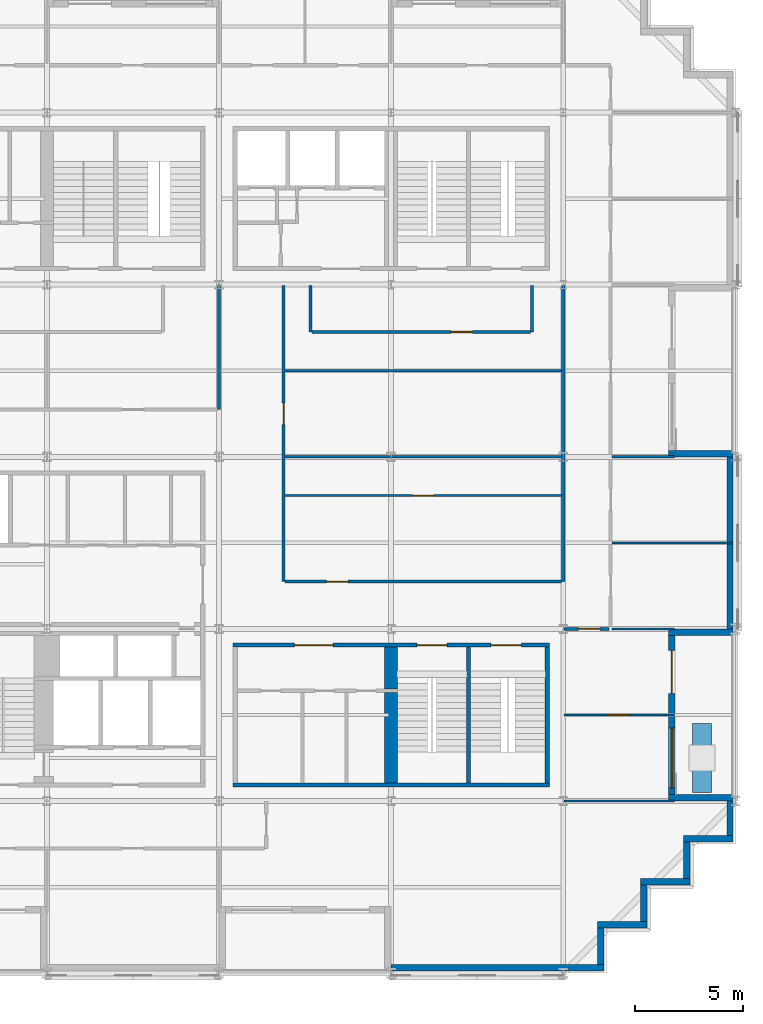
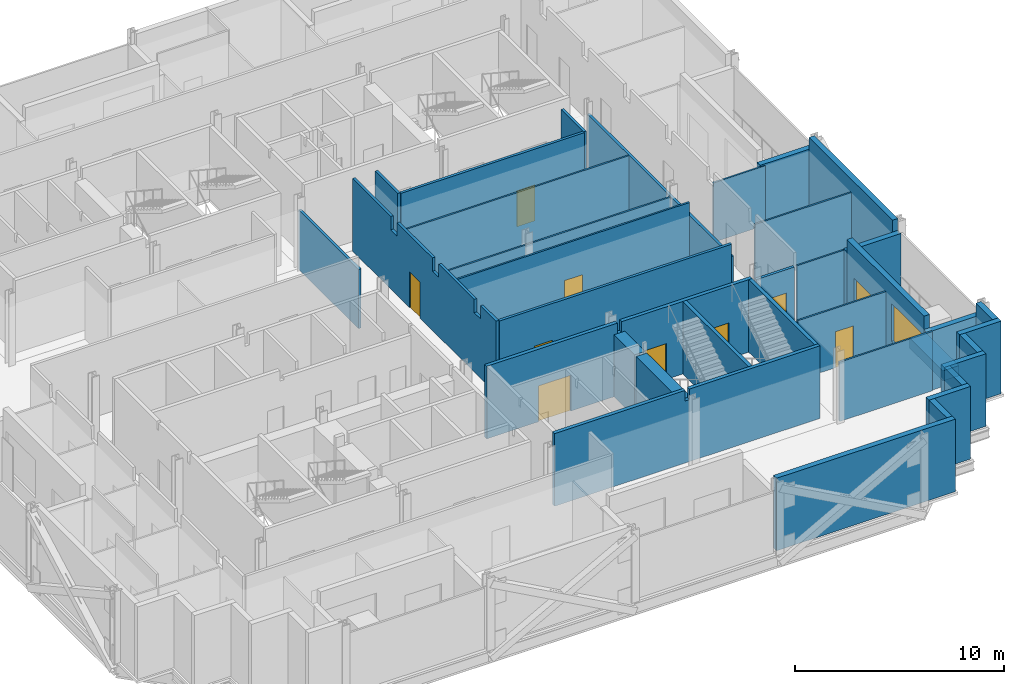
# One storey, part 8 of 15: 36 walls, 10 doors, 1 window, 11 openings.
"""IFC4 building model written with IfcOpenShell, lengths in metres."""

from ifc_helpers import new_model, si_unit, direction, frame, frame_2d, origin, place, context, subcontext, project, spatial, polyline, rectangle, outline, extrude, material, layer, layer_set, type_object, element, fill, save


model = new_model("IFC4")

# Units and contexts
model_context = context("Model", 3, precision=1e-05, world=origin(), true_north=direction((0.0, 1.0)))
body_context = subcontext(model_context, "Body", "Model", "MODEL_VIEW")
ifc_project = project(units=[si_unit("LENGTHUNIT", "METRE"), si_unit("AREAUNIT", "SQUARE_METRE"), si_unit("VOLUMEUNIT", "CUBIC_METRE"), si_unit("PLANEANGLEUNIT", "RADIAN"), si_unit("MASSUNIT", "GRAM", prefix="KILO")], contexts=[model_context])

# Site, building, storey
site_placement = place(None, origin())
site = spatial("IfcSite", under=ifc_project, at=site_placement, CompositionType="ELEMENT")
building_placement = place(site_placement, origin())
building = spatial("IfcBuilding", under=site, at=building_placement, Name="Immortelle Media Tower", CompositionType="ELEMENT")
storey_placement = place(building_placement, frame((0.0, 0.0, 100.800048828125)))
storey = spatial("IfcBuildingStorey", under=building, at=storey_placement, Name="L19", CompositionType="ELEMENT", Elevation=100.800048828125)

# Wall, opening, door
ifc_material_1 = material(Name="Fire-rated gypsum board", Category="gypsum")
ifc_layer_1 = layer(ifc_material_1, 0.012451171875)
ifc_material_2 = material(Name="Steel ASTM A653 SS Gr 50 stud frame with mineral wool", Category="steel")
ifc_layer_2 = layer(ifc_material_2, 0.125)
ifc_layer_3 = layer(ifc_material_1, 0.012451171875)
ifc_layer_set_1 = layer_set([ifc_layer_1, ifc_layer_2, ifc_layer_3], Name="Steel ASTM A653 SS Gr 50 stud frame with mineral wool")
wall_type_1 = type_object("IfcWallType", Name="Corridor wall 150", PredefinedType="PARTITIONING", material=ifc_layer_set_1)
wall_1_placement = place(storey_placement, frame((40.030029296875, 16.0, 0.0), z_axis=(0.0, 0.0, 1.0), x_axis=(1.0, 0.0, 0.0)))
wall_1 = element("IfcWall", 1, at=wall_1_placement, inside=storey, type_object=wall_type_1, Name="Partition L19-019", PredefinedType="PARTITIONING", context=body_context, shape_type="SweptSolid", body=[
    extrude(rectangle(XDim=2.094970703125, YDim=0.14990234375, at=frame_2d((1.04736328125, 0.0))), origin(), (0.0, 0.0, 1.0), 3.469970703125),
])
opening_1_placement = place(wall_1_placement, frame((1.669921875, 0.0, 0.0), z_axis=(0.0, 0.0, 1.0), x_axis=(-1.0, 0.0, 0.0)))
opening_1 = element("IfcOpeningElement", 2, at=opening_1_placement, cuts=wall_1, Name="Opening N6-F010", PredefinedType="OPENING", context=body_context, shape_type="SweptSolid", body=[
    extrude(rectangle(XDim=1.0, YDim=2.10009765625, at=frame_2d((0.5, 1.050048828125))), frame((0.0, 0.0849609375, 0.0), z_axis=(0.0, -1.0, 0.0), x_axis=(1.0, 0.0, 0.0)), (0.0, 0.0, 1.0), 0.169921875),
])
ifc_material_3 = material(Name="Timber veneered door leaf, galvanised steel frame ASTM A653", Category="steel")
door_type_1 = type_object("IfcDoorType", Name="Room door 1000 x 2100", OperationType="NOTDEFINED", PredefinedType="DOOR", material=ifc_material_3)
door_1_placement = place(opening_1_placement, origin())
door_1 = element("IfcDoor", 3, at=door_1_placement, inside=storey, type_object=door_type_1, Name="Door N6-F010", OperationType="SINGLE_SWING_RIGHT", OverallHeight=2.10009765625, OverallWidth=1.0, PredefinedType="DOOR", context=body_context, shape_type="SweptSolid", body=[
    extrude(rectangle(XDim=1.0, YDim=2.10009765625, at=frame_2d((0.5, 1.050048828125))), frame((0.0, 0.02490234375, 0.0), z_axis=(0.0, -1.0, 0.0), x_axis=(1.0, 0.0, 0.0)), (0.0, 0.0, 1.0), 0.050048828125),
])
fill(opening_1, door_1)

wall_2_placement = place(storey_placement, frame((27.074951171875, 18.199951171875, 0.0), z_axis=(0.0, 0.0, 1.0), x_axis=(1.0, 0.0, 0.0)))
wall_2 = element("IfcWall", 4, at=wall_2_placement, inside=storey, type_object=wall_type_1, Name="Partition L19-022", PredefinedType="PARTITIONING", context=body_context, shape_type="SweptSolid", body=[
    extrude(rectangle(XDim=12.85009765625, YDim=0.14990234375, at=frame_2d((6.425048828125, 0.0))), origin(), (0.0, 0.0, 1.0), 4.25),
])
opening_2_placement = place(wall_2_placement, frame((1.925048828125, 0.0, 0.0)))
opening_2 = element("IfcOpeningElement", 5, at=opening_2_placement, cuts=wall_2, Name="Opening N6-F016", PredefinedType="OPENING", context=body_context, shape_type="SweptSolid", body=[
    extrude(rectangle(XDim=1.0, YDim=2.10009765625, at=frame_2d((0.5, 1.050048828125))), frame((0.0, 0.0849609375, 0.0), z_axis=(0.0, -1.0, 0.0), x_axis=(1.0, 0.0, 0.0)), (0.0, 0.0, 1.0), 0.169921875),
])
door_2_placement = place(opening_2_placement, origin())
door_2 = element("IfcDoor", 6, at=door_2_placement, inside=storey, type_object=door_type_1, Name="Door N6-F016", OperationType="SINGLE_SWING_LEFT", OverallHeight=2.10009765625, OverallWidth=1.0, PredefinedType="DOOR", context=body_context, shape_type="SweptSolid", body=[
    extrude(rectangle(XDim=1.0, YDim=2.10009765625, at=frame_2d((0.5, 1.050048828125))), frame((0.0, 0.02490234375, 0.0), z_axis=(0.0, -1.0, 0.0), x_axis=(1.0, 0.0, 0.0)), (0.0, 0.0, 1.0), 0.050048828125),
])
fill(opening_2, door_2)

wall_3_placement = place(storey_placement, frame((27.0, 18.199951171875, 0.0), z_axis=(0.0, 0.0, 1.0), x_axis=(0.0, 1.0, 0.0)))
wall_3 = element("IfcWall", 7, at=wall_3_placement, inside=storey, type_object=wall_type_1, Name="Partition L19-023", PredefinedType="PARTITIONING", context=body_context, shape_type="SweptSolid", body=[
    extrude(outline(polyline([(0.0, 0.0), (13.77001953125, 0.0), (13.77001953125, 4.25), (10.10009765625, 4.25), (10.097900390625, 3.469970703125), (9.501953125, 3.469970703125), (9.5, 4.25), (6.10009765625, 4.25), (6.097900390625, 3.469970703125), (5.501953125, 3.469970703125), (5.5, 4.25), (2.10009765625, 4.25), (2.097900390625, 3.469970703125), (1.501953125, 3.469970703125), (1.5, 4.25), (0.0, 4.25), (0.0, 0.0)])), frame((0.0, 0.074951171875, 0.0), z_axis=(0.0, -1.0, 0.0), x_axis=(1.0, 0.0, 0.0)), (0.0, 0.0, 1.0), 0.14990234375),
])
opening_3_placement = place(wall_3_placement, frame((8.300048828125, 0.0, 0.0), z_axis=(0.0, 0.0, 1.0), x_axis=(-1.0, 0.0, 0.0)))
opening_3 = element("IfcOpeningElement", 8, at=opening_3_placement, cuts=wall_3, Name="Opening N6-F018", PredefinedType="OPENING", context=body_context, shape_type="SweptSolid", body=[
    extrude(rectangle(XDim=1.0, YDim=2.10009765625, at=frame_2d((0.5, 1.050048828125))), frame((0.0, 0.0849609375, 0.0), z_axis=(0.0, -1.0, 0.0), x_axis=(1.0, 0.0, 0.0)), (0.0, 0.0, 1.0), 0.169921875),
])
door_3_placement = place(opening_3_placement, origin())
door_3 = element("IfcDoor", 9, at=door_3_placement, inside=storey, type_object=door_type_1, Name="Door N6-F018", OperationType="SINGLE_SWING_RIGHT", OverallHeight=2.10009765625, OverallWidth=1.0, PredefinedType="DOOR", context=body_context, shape_type="SweptSolid", body=[
    extrude(rectangle(XDim=1.0, YDim=2.10009765625, at=frame_2d((0.5, 1.050048828125))), frame((0.0, 0.02490234375, 0.0), z_axis=(0.0, -1.0, 0.0), x_axis=(1.0, 0.0, 0.0)), (0.0, 0.0, 1.0), 0.050048828125),
])
fill(opening_3, door_3)

# Walls
wall_4_placement = place(storey_placement, frame((40.0, 18.199951171875, 0.0), z_axis=(0.0, 0.0, 1.0), x_axis=(0.0, 1.0, 0.0)))
element("IfcWall", 10, at=wall_4_placement, inside=storey, type_object=wall_type_1, Name="Partition L19-024", PredefinedType="PARTITIONING", context=body_context, shape_type="SweptSolid", body=[
    extrude(rectangle(XDim=13.77001953125, YDim=0.14990234375, at=frame_2d((6.885009765625, 0.0))), origin(), (0.0, 0.0, 1.0), 3.469970703125),
])
wall_5_placement = place(storey_placement, frame((24.0, 26.199951171875, 0.0), z_axis=(0.0, 0.0, 1.0), x_axis=(0.0, 1.0, 0.0)))
element("IfcWall", 11, at=wall_5_placement, inside=storey, type_object=wall_type_1, Name="Partition L19-033", PredefinedType="PARTITIONING", context=body_context, shape_type="SweptSolid", body=[
    extrude(rectangle(XDim=5.77001953125, YDim=0.14990234375, at=frame_2d((2.885009765625, 0.0))), origin(), (0.0, 0.0, 1.0), 3.469970703125),
])

# Wall, opening, door
wall_6_placement = place(storey_placement, frame((28.324951171875, 29.800048828125, 0.0), z_axis=(0.0, 0.0, 1.0), x_axis=(1.0, 0.0, 0.0)))
wall_6 = element("IfcWall", 12, at=wall_6_placement, inside=storey, type_object=wall_type_1, Name="Partition L19-038", PredefinedType="PARTITIONING", context=body_context, shape_type="SweptSolid", body=[
    extrude(rectangle(XDim=10.150146484375, YDim=0.14990234375, at=frame_2d((5.0751953125, 0.0))), origin(), (0.0, 0.0, 1.0), 4.25),
])
opening_4_placement = place(wall_6_placement, frame((7.449951171875, 0.0, 0.0), z_axis=(0.0, 0.0, 1.0), x_axis=(-1.0, 0.0, 0.0)))
opening_4 = element("IfcOpeningElement", 13, at=opening_4_placement, cuts=wall_6, Name="Opening N6-F019", PredefinedType="OPENING", context=body_context, shape_type="SweptSolid", body=[
    extrude(rectangle(XDim=1.0, YDim=2.10009765625, at=frame_2d((0.5, 1.050048828125))), frame((0.0, 0.0849609375, 0.0), z_axis=(0.0, -1.0, 0.0), x_axis=(1.0, 0.0, 0.0)), (0.0, 0.0, 1.0), 0.169921875),
])
door_4_placement = place(opening_4_placement, origin())
door_4 = element("IfcDoor", 14, at=door_4_placement, inside=storey, type_object=door_type_1, Name="Door N6-F019", OperationType="SINGLE_SWING_LEFT", OverallHeight=2.10009765625, OverallWidth=1.0, PredefinedType="DOOR", context=body_context, shape_type="SweptSolid", body=[
    extrude(rectangle(XDim=1.0, YDim=2.10009765625, at=frame_2d((0.5, 1.050048828125))), frame((0.0, 0.02490234375, 0.0), z_axis=(0.0, -1.0, 0.0), x_axis=(1.0, 0.0, 0.0)), (0.0, 0.0, 1.0), 0.050048828125),
])
fill(opening_4, door_4)

# Walls
for number, where, z_axis, x_axis, name in (
    (15, (28.25, 29.800048828125, 0.0), (0.0, 0.0, 1.0), (0.0, 1.0, 0.0), "Partition L19-039"),
    (16, (38.550048828125, 29.800048828125, 0.0), (0.0, 0.0, 1.0), (0.0, 1.0, 0.0), "Partition L19-040"),
):
    element("IfcWall", number, at=place(storey_placement, frame(where, z_axis=z_axis, x_axis=x_axis)), inside=storey, type_object=wall_type_1, Name=name, PredefinedType="PARTITIONING", context=body_context, shape_type="SweptSolid", body=[
        extrude(rectangle(XDim=2.169921875, YDim=0.14990234375, at=frame_2d((1.0849609375, 0.0))), origin(), (0.0, 0.0, 1.0), 4.25),
    ])
ifc_material_4 = material(Name="Pale aluminium cladding panel", Category="aluminium")
ifc_layer_4 = layer(ifc_material_4, 0.030029296875)
ifc_layer_5 = layer(ifc_material_2, 0.257568359375)
ifc_material_5 = material(Name="Moisture-resistant gypsum board", Category="gypsum")
ifc_layer_6 = layer(ifc_material_5, 0.012451171875)
ifc_layer_set_2 = layer_set([ifc_layer_4, ifc_layer_5, ifc_layer_6], Name="Steel ASTM A653 SS Gr 50 stud frame with mineral wool")
wall_type_2 = type_object("IfcWallType", Name="Facade wall 300", PredefinedType="SOLIDWALL", material=ifc_layer_set_2)
wall_7_placement = place(storey_placement, frame((32.0, 0.25, 0.0), z_axis=(0.0, 0.0, 1.0), x_axis=(1.0, 0.0, 0.0)))
element("IfcWall", 17, at=wall_7_placement, inside=storey, type_object=wall_type_2, Name="Facade wall L19 S7", PredefinedType="SOLIDWALL", context=body_context, shape_type="SweptSolid", body=[
    extrude(rectangle(XDim=9.89990234375, YDim=0.300048828125, at=frame_2d((4.949951171875, 0.0))), origin(), (0.0, 0.0, 1.0), 4.25),
])
wall_8_placement = place(storey_placement, frame((41.75, 0.39990234375, 0.0), z_axis=(0.0, 0.0, 1.0), x_axis=(0.0, 1.0, 0.0)))
element("IfcWall", 18, at=wall_8_placement, inside=storey, type_object=wall_type_2, Name="Facade wall L19 E8", PredefinedType="SOLIDWALL", context=body_context, shape_type="SweptSolid", body=[
    extrude(rectangle(XDim=1.7001953125, YDim=0.300048828125, at=frame_2d((0.85009765625, 0.0))), origin(), (0.0, 0.0, 1.0), 4.25),
])
wall_9_placement = place(storey_placement, frame((41.60009765625, 2.25, 0.0), z_axis=(0.0, 0.0, 1.0), x_axis=(1.0, 0.0, 0.0)))
element("IfcWall", 19, at=wall_9_placement, inside=storey, type_object=wall_type_2, Name="Facade wall L19 S9", PredefinedType="SOLIDWALL", context=body_context, shape_type="SweptSolid", body=[
    extrude(rectangle(XDim=2.2998046875, YDim=0.300048828125, at=frame_2d((1.14990234375, 0.0))), origin(), (0.0, 0.0, 1.0), 4.25),
])
wall_10_placement = place(storey_placement, frame((43.75, 2.39990234375, 0.0), z_axis=(0.0, 0.0, 1.0), x_axis=(0.0, 1.0, 0.0)))
element("IfcWall", 20, at=wall_10_placement, inside=storey, type_object=wall_type_2, Name="Facade wall L19 E10", PredefinedType="SOLIDWALL", context=body_context, shape_type="SweptSolid", body=[
    extrude(rectangle(XDim=1.7001953125, YDim=0.300048828125, at=frame_2d((0.85009765625, 0.0))), origin(), (0.0, 0.0, 1.0), 4.25),
])
wall_11_placement = place(storey_placement, frame((43.60009765625, 4.25, 0.0), z_axis=(0.0, 0.0, 1.0), x_axis=(1.0, 0.0, 0.0)))
element("IfcWall", 21, at=wall_11_placement, inside=storey, type_object=wall_type_2, Name="Facade wall L19 S11", PredefinedType="SOLIDWALL", context=body_context, shape_type="SweptSolid", body=[
    extrude(rectangle(XDim=2.2998046875, YDim=0.300048828125, at=frame_2d((1.14990234375, 0.0))), origin(), (0.0, 0.0, 1.0), 4.25),
])
wall_12_placement = place(storey_placement, frame((45.75, 4.39990234375, 0.0), z_axis=(0.0, 0.0, 1.0), x_axis=(0.0, 1.0, 0.0)))
element("IfcWall", 22, at=wall_12_placement, inside=storey, type_object=wall_type_2, Name="Facade wall L19 E12", PredefinedType="SOLIDWALL", context=body_context, shape_type="SweptSolid", body=[
    extrude(rectangle(XDim=1.7001953125, YDim=0.300048828125, at=frame_2d((0.85009765625, 0.0))), origin(), (0.0, 0.0, 1.0), 4.25),
])
wall_13_placement = place(storey_placement, frame((45.60009765625, 6.25, 0.0), z_axis=(0.0, 0.0, 1.0), x_axis=(1.0, 0.0, 0.0)))
element("IfcWall", 23, at=wall_13_placement, inside=storey, type_object=wall_type_2, Name="Facade wall L19 S13", PredefinedType="SOLIDWALL", context=body_context, shape_type="SweptSolid", body=[
    extrude(rectangle(XDim=2.2998046875, YDim=0.300048828125, at=frame_2d((1.14990234375, 0.0))), origin(), (0.0, 0.0, 1.0), 4.25),
])
wall_14_placement = place(storey_placement, frame((47.75, 6.39990234375, 0.0), z_axis=(0.0, 0.0, 1.0), x_axis=(0.0, 1.0, 0.0)))
element("IfcWall", 24, at=wall_14_placement, inside=storey, type_object=wall_type_2, Name="Facade wall L19 E14", PredefinedType="SOLIDWALL", context=body_context, shape_type="SweptSolid", body=[
    extrude(rectangle(XDim=1.60009765625, YDim=0.300048828125, at=frame_2d((0.800048828125, 0.0))), origin(), (0.0, 0.0, 1.0), 4.25),
])

# Wall, openings, door, window
wall_15_placement = place(storey_placement, frame((45.050048828125, 8.300048828125, 0.0), z_axis=(0.0, 0.0, 1.0), x_axis=(0.0, 1.0, 0.0)))
wall_15 = element("IfcWall", 25, at=wall_15_placement, inside=storey, type_object=wall_type_2, Name="Loggia wall L19 E14", PredefinedType="SOLIDWALL", context=body_context, shape_type="SweptSolid", body=[
    extrude(rectangle(XDim=7.39990234375, YDim=0.300048828125, at=frame_2d((3.699951171875, 0.0))), origin(), (0.0, 0.0, 1.0), 4.25),
])
opening_5_placement = place(wall_15_placement, frame((0.300048828125, 0.0, 0.89990234375)))
opening_5 = element("IfcOpeningElement", 26, at=opening_5_placement, cuts=wall_15, Name="Opening W1", PredefinedType="OPENING", context=body_context, shape_type="SweptSolid", body=[
    extrude(rectangle(XDim=2.800048828125, YDim=2.199951171875, at=frame_2d((1.39990234375, 1.10009765625))), frame((0.0, 0.159912109375, 0.0), z_axis=(0.0, -1.0, 0.0), x_axis=(1.0, 0.0, 0.0)), (0.0, 0.0, 1.0), 0.320068359375),
])
opening_6_placement = place(wall_15_placement, frame((4.699951171875, 0.0, 0.0)))
opening_6 = element("IfcOpeningElement", 27, at=opening_6_placement, cuts=wall_15, Name="Opening N6-E005", PredefinedType="OPENING", context=body_context, shape_type="SweptSolid", body=[
    extrude(rectangle(XDim=2.0, YDim=2.39990234375, at=frame_2d((1.0, 1.199951171875))), frame((0.0, 0.159912109375, 0.0), z_axis=(0.0, -1.0, 0.0), x_axis=(1.0, 0.0, 0.0)), (0.0, 0.0, 1.0), 0.320068359375),
])
ifc_material_6 = material(Name="Aluminium frame, glazed leaves", Category="aluminium")
door_type_2 = type_object("IfcDoorType", Name="Loggia door 2000 x 2400", OperationType="DOUBLE_DOOR_SINGLE_SWING", PredefinedType="DOOR", material=ifc_material_6)
door_5_placement = place(opening_6_placement, origin())
door_5 = element("IfcDoor", 28, at=door_5_placement, inside=storey, type_object=door_type_2, Name="Door N6-E005", OperationType="DOUBLE_DOOR_SINGLE_SWING", OverallHeight=2.39990234375, OverallWidth=2.0, PredefinedType="DOOR", context=body_context, shape_type="SweptSolid", body=[
    extrude(rectangle(XDim=2.0, YDim=2.39990234375, at=frame_2d((1.0, 1.199951171875))), frame((0.0, 0.02490234375, 0.0), z_axis=(0.0, -1.0, 0.0), x_axis=(1.0, 0.0, 0.0)), (0.0, 0.0, 1.0), 0.050048828125),
])
fill(opening_6, door_5)
ifc_material_7 = material(Name="Aluminium frame", Category="aluminium")
window_type = type_object("IfcWindowType", Name="Window 2800 x 2200", PartitioningType="SINGLE_PANEL", PredefinedType="WINDOW", material=ifc_material_7)
window_placement = place(opening_5_placement, origin())
window = element("IfcWindow", 29, at=window_placement, inside=storey, type_object=window_type, Name="Window L19 L19-R14-B0", OverallHeight=2.199951171875, OverallWidth=2.800048828125, PartitioningType="SINGLE_PANEL", PredefinedType="WINDOW", context=body_context, shape_type="SweptSolid", body=[
    extrude(rectangle(XDim=2.800048828125, YDim=2.199951171875, at=frame_2d((1.39990234375, 1.10009765625))), frame((0.0, 0.030029296875, 0.0), z_axis=(0.0, -1.0, 0.0), x_axis=(1.0, 0.0, 0.0)), (0.0, 0.0, 1.0), 0.06005859375),
])
fill(opening_5, window)

# Walls
wall_16_placement = place(storey_placement, frame((47.89990234375, 8.14990234375, 0.0), z_axis=(0.0, 0.0, 1.0), x_axis=(-1.0, 0.0, 0.0)))
element("IfcWall", 30, at=wall_16_placement, inside=storey, type_object=wall_type_2, Name="Loggia cheek wall L19 E", PredefinedType="SOLIDWALL", context=body_context, shape_type="SweptSolid", body=[
    extrude(rectangle(XDim=3.0, YDim=0.300048828125, at=frame_2d((1.5, 0.0))), origin(), (0.0, 0.0, 1.0), 3.468994140625),
])
wall_17_placement = place(storey_placement, frame((47.89990234375, 15.85009765625, 0.0), z_axis=(0.0, 0.0, 1.0), x_axis=(-1.0, 0.0, 0.0)))
element("IfcWall", 31, at=wall_17_placement, inside=storey, type_object=wall_type_2, Name="Loggia cheek wall L19 E", PredefinedType="SOLIDWALL", context=body_context, shape_type="SweptSolid", body=[
    extrude(rectangle(XDim=3.0, YDim=0.300048828125, at=frame_2d((1.5, 0.0))), origin(), (0.0, 0.0, 1.0), 3.555908203125),
])
wall_18_placement = place(storey_placement, frame((47.75, 16.0, 0.0), z_axis=(0.0, 0.0, 1.0), x_axis=(0.0, 1.0, 0.0)))
element("IfcWall", 32, at=wall_18_placement, inside=storey, type_object=wall_type_2, Name="Facade wall L19 E14", PredefinedType="SOLIDWALL", context=body_context, shape_type="SweptSolid", body=[
    extrude(rectangle(XDim=8.0, YDim=0.300048828125, at=frame_2d((4.0, 0.0))), origin(), (0.0, 0.0, 1.0), 4.25),
])
wall_19_placement = place(storey_placement, frame((47.89990234375, 24.14990234375, 0.0), z_axis=(0.0, 0.0, 1.0), x_axis=(-1.0, 0.0, 0.0)))
element("IfcWall", 33, at=wall_19_placement, inside=storey, type_object=wall_type_2, Name="Loggia cheek wall L19 E", PredefinedType="SOLIDWALL", context=body_context, shape_type="SweptSolid", body=[
    extrude(rectangle(XDim=3.0, YDim=0.300048828125, at=frame_2d((1.5, 0.0))), origin(), (0.0, 0.0, 1.0), 3.555908203125),
])
ifc_material_8 = material(Name="Gypsum board", Category="gypsum")
ifc_layer_7 = layer(ifc_material_8, 0.012451171875)
ifc_layer_8 = layer(ifc_material_2, 0.074951171875)
ifc_layer_9 = layer(ifc_material_8, 0.012451171875)
ifc_layer_set_3 = layer_set([ifc_layer_7, ifc_layer_8, ifc_layer_9], Name="Steel ASTM A653 SS Gr 50 stud frame with mineral wool")
wall_type_3 = type_object("IfcWallType", Name="Partition 100", PredefinedType="PARTITIONING", material=ifc_layer_set_3)
wall_20_placement = place(storey_placement, frame((40.030029296875, 8.0, 0.0), z_axis=(0.0, 0.0, 1.0), x_axis=(1.0, 0.0, 0.0)))
element("IfcWall", 34, at=wall_20_placement, inside=storey, type_object=wall_type_3, Name="Partition L19-011", PredefinedType="PARTITIONING", context=body_context, shape_type="SweptSolid", body=[
    extrude(rectangle(XDim=5.139892578125, YDim=0.10009765625, at=frame_2d((2.56982421875, 0.0))), origin(), (0.0, 0.0, 1.0), 3.469970703125),
])

# Wall, opening, door
wall_21_placement = place(storey_placement, frame((40.030029296875, 12.0, 0.0), z_axis=(0.0, 0.0, 1.0), x_axis=(1.0, 0.0, 0.0)))
wall_21 = element("IfcWall", 35, at=wall_21_placement, inside=storey, type_object=wall_type_3, Name="Partition L19-016", PredefinedType="PARTITIONING", context=body_context, shape_type="SweptSolid", body=[
    extrude(rectangle(XDim=5.139892578125, YDim=0.10009765625, at=frame_2d((2.56982421875, 0.0))), origin(), (0.0, 0.0, 1.0), 3.469970703125),
])
opening_7_placement = place(wall_21_placement, frame((2.070068359375, 0.0, 0.0)))
opening_7 = element("IfcOpeningElement", 36, at=opening_7_placement, cuts=wall_21, Name="Opening N6-F011", PredefinedType="OPENING", context=body_context, shape_type="SweptSolid", body=[
    extrude(rectangle(XDim=1.0, YDim=2.10009765625, at=frame_2d((0.5, 1.050048828125))), frame((0.0, 0.06005859375, 0.0), z_axis=(0.0, -1.0, 0.0), x_axis=(1.0, 0.0, 0.0)), (0.0, 0.0, 1.0), 0.1201171875),
])
door_6_placement = place(opening_7_placement, origin())
door_6 = element("IfcDoor", 37, at=door_6_placement, inside=storey, type_object=door_type_1, Name="Door N6-F011", OperationType="SINGLE_SWING_LEFT", OverallHeight=2.10009765625, OverallWidth=1.0, PredefinedType="DOOR", context=body_context, shape_type="SweptSolid", body=[
    extrude(rectangle(XDim=1.0, YDim=2.10009765625, at=frame_2d((0.5, 1.050048828125))), frame((0.0, 0.02490234375, 0.0), z_axis=(0.0, -1.0, 0.0), x_axis=(1.0, 0.0, 0.0)), (0.0, 0.0, 1.0), 0.050048828125),
])
fill(opening_7, door_6)

# Walls
wall_22_placement = place(storey_placement, frame((42.27490234375, 16.0, 0.0), z_axis=(0.0, 0.0, 1.0), x_axis=(1.0, 0.0, 0.0)))
element("IfcWall", 38, at=wall_22_placement, inside=storey, type_object=wall_type_3, Name="Partition L19-020", PredefinedType="PARTITIONING", context=body_context, shape_type="SweptSolid", body=[
    extrude(rectangle(XDim=2.89501953125, YDim=0.10009765625, at=frame_2d((1.447509765625, 0.0))), origin(), (0.0, 0.0, 1.0), 3.469970703125),
])
wall_23_placement = place(storey_placement, frame((42.27490234375, 20.0, 0.0), z_axis=(0.0, 0.0, 1.0), x_axis=(1.0, 0.0, 0.0)))
element("IfcWall", 39, at=wall_23_placement, inside=storey, type_object=wall_type_3, Name="Partition L19-026", PredefinedType="PARTITIONING", context=body_context, shape_type="SweptSolid", body=[
    extrude(rectangle(XDim=5.59521484375, YDim=0.10009765625, at=frame_2d((2.797607421875, 0.0))), origin(), (0.0, 0.0, 1.0), 3.469970703125),
])

# Wall, opening, door
wall_24_placement = place(storey_placement, frame((27.074951171875, 22.199951171875, 0.0), z_axis=(0.0, 0.0, 1.0), x_axis=(1.0, 0.0, 0.0)))
wall_24 = element("IfcWall", 40, at=wall_24_placement, inside=storey, type_object=wall_type_3, Name="Partition L19-027", PredefinedType="PARTITIONING", context=body_context, shape_type="SweptSolid", body=[
    extrude(rectangle(XDim=12.85009765625, YDim=0.10009765625, at=frame_2d((6.425048828125, 0.0))), origin(), (0.0, 0.0, 1.0), 4.25),
])
opening_8_placement = place(wall_24_placement, frame((6.925048828125, 0.0, 0.0), z_axis=(0.0, 0.0, 1.0), x_axis=(-1.0, 0.0, 0.0)))
opening_8 = element("IfcOpeningElement", 41, at=opening_8_placement, cuts=wall_24, Name="Opening N6-F017", PredefinedType="OPENING", context=body_context, shape_type="SweptSolid", body=[
    extrude(rectangle(XDim=1.0, YDim=2.10009765625, at=frame_2d((0.5, 1.050048828125))), frame((0.0, 0.06005859375, 0.0), z_axis=(0.0, -1.0, 0.0), x_axis=(1.0, 0.0, 0.0)), (0.0, 0.0, 1.0), 0.1201171875),
])
door_7_placement = place(opening_8_placement, origin())
door_7 = element("IfcDoor", 42, at=door_7_placement, inside=storey, type_object=door_type_1, Name="Door N6-F017", OperationType="SINGLE_SWING_LEFT", OverallHeight=2.10009765625, OverallWidth=1.0, PredefinedType="DOOR", context=body_context, shape_type="SweptSolid", body=[
    extrude(rectangle(XDim=1.0, YDim=2.10009765625, at=frame_2d((0.5, 1.050048828125))), frame((0.0, 0.02490234375, 0.0), z_axis=(0.0, -1.0, 0.0), x_axis=(1.0, 0.0, 0.0)), (0.0, 0.0, 1.0), 0.050048828125),
])
fill(opening_8, door_7)

# Walls
wall_25_placement = place(storey_placement, frame((27.074951171875, 24.0, 0.0), z_axis=(0.0, 0.0, 1.0), x_axis=(1.0, 0.0, 0.0)))
element("IfcWall", 43, at=wall_25_placement, inside=storey, type_object=wall_type_3, Name="Partition L19-029", PredefinedType="PARTITIONING", context=body_context, shape_type="SweptSolid", body=[
    extrude(rectangle(XDim=12.85009765625, YDim=0.10009765625, at=frame_2d((6.425048828125, 0.0))), origin(), (0.0, 0.0, 1.0), 3.469970703125),
])
wall_26_placement = place(storey_placement, frame((42.27490234375, 24.0, 0.0), z_axis=(0.0, 0.0, 1.0), x_axis=(1.0, 0.0, 0.0)))
element("IfcWall", 44, at=wall_26_placement, inside=storey, type_object=wall_type_3, Name="Partition L19-030", PredefinedType="PARTITIONING", context=body_context, shape_type="SweptSolid", body=[
    extrude(rectangle(XDim=2.89501953125, YDim=0.10009765625, at=frame_2d((1.447509765625, 0.0))), origin(), (0.0, 0.0, 1.0), 3.469970703125),
])
wall_27_placement = place(storey_placement, frame((27.074951171875, 28.0, 0.0), z_axis=(0.0, 0.0, 1.0), x_axis=(1.0, 0.0, 0.0)))
element("IfcWall", 45, at=wall_27_placement, inside=storey, type_object=wall_type_3, Name="Partition L19-034", PredefinedType="PARTITIONING", context=body_context, shape_type="SweptSolid", body=[
    extrude(rectangle(XDim=12.85009765625, YDim=0.10009765625, at=frame_2d((6.425048828125, 0.0))), origin(), (0.0, 0.0, 1.0), 3.469970703125),
])
ifc_layer_10 = layer(ifc_material_4, 0.0029296875)
ifc_material_9 = material(Name="Steel ASTM A572 Gr 50 planter shell", Category="steel")
ifc_layer_11 = layer(ifc_material_9, 0.011962890625)
ifc_material_10 = material(Name="Planting substrate", Category="soil")
ifc_layer_12 = layer(ifc_material_10, 0.873046875)
ifc_layer_13 = layer(ifc_material_9, 0.011962890625)
ifc_layer_set_4 = layer_set([ifc_layer_10, ifc_layer_11, ifc_layer_12, ifc_layer_13], Name="Steel ASTM A572 Gr 50 planter shell")
wall_type_4 = type_object("IfcWallType", Name="Planter wall 900", PredefinedType="SOLIDWALL", material=ifc_layer_set_4)
wall_28_placement = place(storey_placement, frame((46.449951171875, 8.39990234375, 0.0), z_axis=(0.0, 0.0, 1.0), x_axis=(0.0, 1.0, 0.0)))
element("IfcWall", 46, at=wall_28_placement, inside=storey, type_object=wall_type_4, Name="Planter L19 E0", PredefinedType="SOLIDWALL", context=body_context, shape_type="SweptSolid", body=[
    extrude(rectangle(XDim=3.2001953125, YDim=0.89990234375, at=frame_2d((1.60009765625, 0.0))), origin(), (0.0, 0.0, 1.0), 0.599853515625),
])
ifc_material_11 = material(Name="Concrete C60", Category="concrete")
ifc_layer_14 = layer(ifc_material_11, 0.199951171875)
ifc_layer_set_5 = layer_set([ifc_layer_14], Name="Concrete C60")
wall_type_5 = type_object("IfcWallType", Name="Stair shaft wall 200", PredefinedType="PARTITIONING", material=ifc_layer_set_5)
wall_29_placement = place(storey_placement, frame((24.64990234375, 8.75, 0.0), z_axis=(0.0, 0.0, 1.0), x_axis=(1.0, 0.0, 0.0)))
element("IfcWall", 47, at=wall_29_placement, inside=storey, type_object=wall_type_5, Name="Stair shaft wall SE", PredefinedType="PARTITIONING", context=body_context, shape_type="SweptSolid", body=[
    extrude(outline(polyline([(0.0, 0.0), (14.7001953125, 0.0), (14.699951171875, 4.25), (7.469482421875, 4.25), (7.468505859375, 3.6318359375), (7.2314453125, 3.6318359375), (7.23046875, 4.25), (0.0, 4.25), (0.0, 0.0)])), frame((0.0, 0.10009765625, 0.0), z_axis=(0.0, -1.0, 0.0), x_axis=(1.0, 0.0, 0.0)), (0.0, 0.0, 1.0), 0.199951171875),
])

# Wall, openings, doors
wall_30_placement = place(storey_placement, frame((24.64990234375, 15.25, 0.0), z_axis=(0.0, 0.0, 1.0), x_axis=(1.0, 0.0, 0.0)))
wall_30 = element("IfcWall", 48, at=wall_30_placement, inside=storey, type_object=wall_type_5, Name="Stair shaft wall SE", PredefinedType="PARTITIONING", context=body_context, shape_type="SweptSolid", body=[
    extrude(outline(polyline([(0.0, 0.0), (14.7001953125, 0.0), (14.699951171875, 4.25), (7.469482421875, 4.25), (7.468505859375, 3.6318359375), (7.2314453125, 3.6318359375), (7.23046875, 4.25), (0.0, 4.25), (0.0, 0.0)])), frame((0.0, 0.10009765625, 0.0), z_axis=(0.0, -1.0, 0.0), x_axis=(1.0, 0.0, 0.0)), (0.0, 0.0, 1.0), 0.199951171875),
])
opening_9_placement = place(wall_30_placement, frame((2.85009765625, 0.0, 0.0)))
opening_9 = element("IfcOpeningElement", 49, at=opening_9_placement, cuts=wall_30, Name="Opening N6-K016", PredefinedType="OPENING", context=body_context, shape_type="SweptSolid", body=[
    extrude(rectangle(XDim=1.800048828125, YDim=2.10009765625, at=frame_2d((0.89990234375, 1.050048828125))), frame((0.0, 0.10986328125, 0.0), z_axis=(0.0, -1.0, 0.0), x_axis=(1.0, 0.0, 0.0)), (0.0, 0.0, 1.0), 0.219970703125),
])
opening_10_placement = place(wall_30_placement, frame((9.949951171875, 0.0, 0.0), z_axis=(0.0, 0.0, 1.0), x_axis=(-1.0, 0.0, 0.0)))
opening_10 = element("IfcOpeningElement", 50, at=opening_10_placement, cuts=wall_30, Name="Opening N6-K019", PredefinedType="OPENING", context=body_context, shape_type="SweptSolid", body=[
    extrude(rectangle(XDim=1.39990234375, YDim=2.10009765625, at=frame_2d((0.699951171875, 1.050048828125))), frame((0.0, 0.10986328125, 0.0), z_axis=(0.0, -1.0, 0.0), x_axis=(1.0, 0.0, 0.0)), (0.0, 0.0, 1.0), 0.219970703125),
])
opening_11_placement = place(wall_30_placement, frame((13.39990234375, 0.0, 0.0), z_axis=(0.0, 0.0, 1.0), x_axis=(-1.0, 0.0, 0.0)))
opening_11 = element("IfcOpeningElement", 51, at=opening_11_placement, cuts=wall_30, Name="Opening N6-K020", PredefinedType="OPENING", context=body_context, shape_type="SweptSolid", body=[
    extrude(rectangle(XDim=1.39990234375, YDim=2.10009765625, at=frame_2d((0.699951171875, 1.050048828125))), frame((0.0, 0.10986328125, 0.0), z_axis=(0.0, -1.0, 0.0), x_axis=(1.0, 0.0, 0.0)), (0.0, 0.0, 1.0), 0.219970703125),
])
ifc_material_12 = material(Name="Galvanised steel door leaf and frame ASTM A653", Category="steel")
door_type_3 = type_object("IfcDoorType", Name="Lift lobby door 1800 x 2100", OperationType="DOUBLE_DOOR_SINGLE_SWING", PredefinedType="NOTDEFINED", material=ifc_material_12)
door_8_placement = place(opening_9_placement, origin())
door_8 = element("IfcDoor", 52, at=door_8_placement, inside=storey, type_object=door_type_3, Name="Lift lobby N6-K016", OperationType="DOUBLE_DOOR_SINGLE_SWING", OverallHeight=2.10009765625, OverallWidth=1.800048828125, PredefinedType="NOTDEFINED", context=body_context, shape_type="SweptSolid", body=[
    extrude(rectangle(XDim=1.800048828125, YDim=2.10009765625, at=frame_2d((0.89990234375, 1.050048828125))), frame((0.0, 0.02490234375, 0.0), z_axis=(0.0, -1.0, 0.0), x_axis=(1.0, 0.0, 0.0)), (0.0, 0.0, 1.0), 0.050048828125),
])
fill(opening_9, door_8)
door_type_4 = type_object("IfcDoorType", Name="Stair door 1400 x 2100", OperationType="DOUBLE_DOOR_SINGLE_SWING", PredefinedType="NOTDEFINED", material=ifc_material_12)
door_9_placement = place(opening_10_placement, origin())
door_9 = element("IfcDoor", 53, at=door_9_placement, inside=storey, type_object=door_type_4, Name="Stair N6-K019", OperationType="DOUBLE_DOOR_SINGLE_SWING", OverallHeight=2.10009765625, OverallWidth=1.39990234375, PredefinedType="NOTDEFINED", context=body_context, shape_type="SweptSolid", body=[
    extrude(rectangle(XDim=1.39990234375, YDim=2.10009765625, at=frame_2d((0.699951171875, 1.050048828125))), frame((0.0, 0.02490234375, 0.0), z_axis=(0.0, -1.0, 0.0), x_axis=(1.0, 0.0, 0.0)), (0.0, 0.0, 1.0), 0.050048828125),
])
fill(opening_10, door_9)
door_10_placement = place(opening_11_placement, origin())
door_10 = element("IfcDoor", 54, at=door_10_placement, inside=storey, type_object=door_type_4, Name="Stair N6-K020", OperationType="DOUBLE_DOOR_SINGLE_SWING", OverallHeight=2.10009765625, OverallWidth=1.39990234375, PredefinedType="NOTDEFINED", context=body_context, shape_type="SweptSolid", body=[
    extrude(rectangle(XDim=1.39990234375, YDim=2.10009765625, at=frame_2d((0.699951171875, 1.050048828125))), frame((0.0, 0.02490234375, 0.0), z_axis=(0.0, -1.0, 0.0), x_axis=(1.0, 0.0, 0.0)), (0.0, 0.0, 1.0), 0.050048828125),
])
fill(opening_11, door_10)

# Walls
for number, where, z_axis, x_axis, name in (
    (55, (35.60009765625, 8.85009765625, 0.0), (0.0, 0.0, 1.0), (0.0, 1.0, 0.0), "Stair shaft wall SE"),
    (56, (39.25, 8.85009765625, 0.0), (0.0, 0.0, 1.0), (0.0, 1.0, 0.0), "Stair shaft wall SE"),
):
    element("IfcWall", number, at=place(storey_placement, frame(where, z_axis=z_axis, x_axis=x_axis)), inside=storey, type_object=wall_type_5, Name=name, PredefinedType="PARTITIONING", context=body_context, shape_type="SweptSolid", body=[
        extrude(rectangle(XDim=6.2998046875, YDim=0.199951171875, at=frame_2d((3.14990234375, 0.0))), origin(), (0.0, 0.0, 1.0), 4.25),
    ])
ifc_layer_15 = layer(ifc_material_11, 0.60009765625)
ifc_layer_set_6 = layer_set([ifc_layer_15], Name="Concrete C60")
wall_type_6 = type_object("IfcWallType", Name="Stair shaft wall 600", PredefinedType="PARTITIONING", material=ifc_layer_set_6)
wall_31_placement = place(storey_placement, frame((32.0, 8.85009765625, 0.0), z_axis=(0.0, 0.0, 1.0), x_axis=(0.0, 1.0, 0.0)))
element("IfcWall", 57, at=wall_31_placement, inside=storey, type_object=wall_type_6, Name="Stair shaft wall SE", PredefinedType="PARTITIONING", context=body_context, shape_type="SweptSolid", body=[
    extrude(rectangle(XDim=4.199951171875, YDim=0.60009765625, at=frame_2d((2.10009765625, 0.0))), origin(), (0.0, 0.0, 1.0), 3.6318359375),
])
wall_32_placement = place(storey_placement, frame((32.0, 13.199951171875, 0.0), z_axis=(0.0, 0.0, 1.0), x_axis=(0.0, 1.0, 0.0)))
element("IfcWall", 58, at=wall_32_placement, inside=storey, type_object=wall_type_6, Name="Stair shaft wall SE", PredefinedType="PARTITIONING", context=body_context, shape_type="SweptSolid", body=[
    extrude(rectangle(XDim=1.949951171875, YDim=0.60009765625, at=frame_2d((0.97509765625, 0.0))), origin(), (0.0, 0.0, 1.0), 3.6318359375),
])

save(model, "model.ifc")
